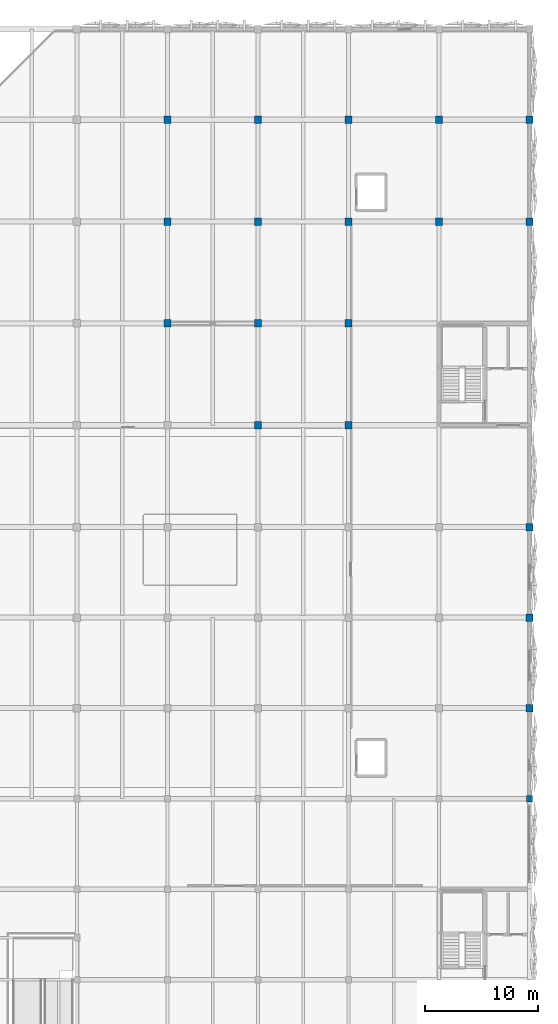
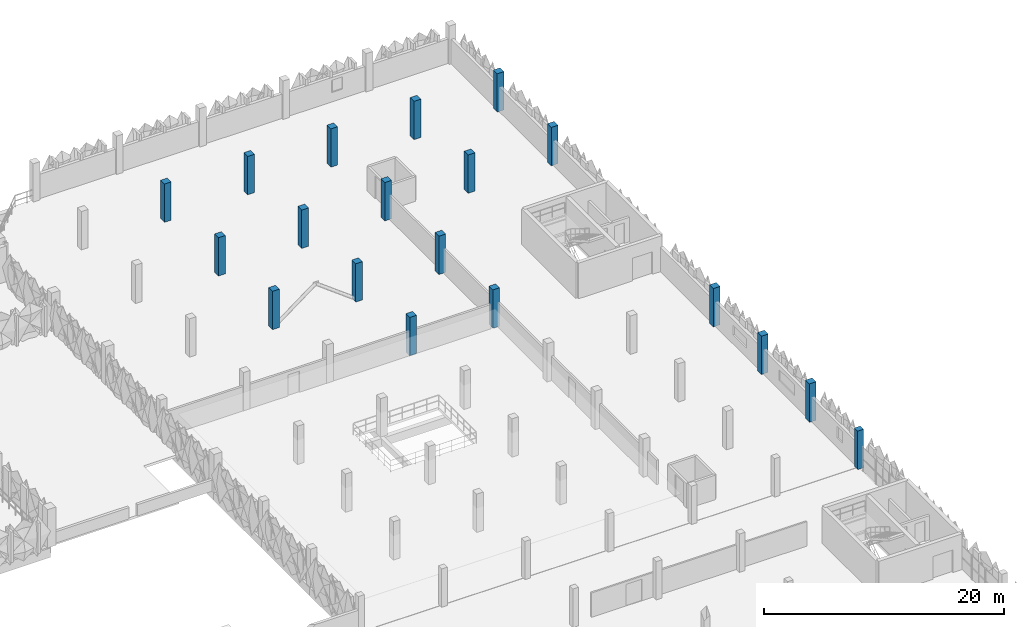
# One storey, part 6 of 96: 19 columns.
"""IFC4 building model written with IfcOpenShell, lengths in metres."""

from ifc_helpers import new_model, si_unit, derived_unit, direction, frame, origin, origin_2d, place, context, subcontext, project, spatial, rectangle, extrude, material, material_profile, profile_set, type_object, element, save


model = new_model("IFC4")

# Units and contexts
model_context = context("Model", 3, precision=1e-05, world=origin(), true_north=direction((0.0, 1.0)))
body_context = subcontext(model_context, "Body", "Model", "MODEL_VIEW")
ifc_project = project(units=[si_unit("LENGTHUNIT", "METRE"), si_unit("AREAUNIT", "SQUARE_METRE"), si_unit("VOLUMEUNIT", "CUBIC_METRE"), si_unit("PLANEANGLEUNIT", "RADIAN"), si_unit("MASSUNIT", "GRAM", prefix="KILO"), si_unit("THERMODYNAMICTEMPERATUREUNIT", "KELVIN"), derived_unit("THERMALTRANSMITTANCEUNIT", [(si_unit("POWERUNIT", "WATT"), 1), (si_unit("AREAUNIT", "SQUARE_METRE"), -1), (si_unit("THERMODYNAMICTEMPERATUREUNIT", "KELVIN"), -1)])], contexts=[model_context])

# Site, building, storey
site_placement = place(None, origin())
site = spatial("IfcSite", under=ifc_project, at=site_placement, CompositionType="ELEMENT")
building_placement = place(site_placement, origin())
building = spatial("IfcBuilding", under=site, at=building_placement, Name="Haiyu Intermodal Mobility Hub", CompositionType="ELEMENT")
storey_placement = place(building_placement, frame((0.0, 0.0, 9.5)))
storey = spatial("IfcBuildingStorey", under=building, at=storey_placement, Name="L02", CompositionType="ELEMENT", Elevation=9.5)

# Columns
ifc_material = material(Name="Concrete C40", Category="concrete")
ifc_material_profile_1 = material_profile(ifc_material, rectangle(XDim=0.64990234375, YDim=0.64990234375, at=origin_2d()), Name="RC650x650")
ifc_profile_set_1 = profile_set([ifc_material_profile_1], Name="Concrete C40")
column_type_1 = type_object("IfcColumnType", Name="COL-CC09", PredefinedType="COLUMN", material=ifc_profile_set_1)
for number, where, z_axis, x_axis, name in (
    (1, (178.0, 122.0, 0.0), (0.0, 0.0, 1.0), (1.0, 0.0, 0.0), "Column V6-20P L02"),
    (2, (178.0, 131.0, 0.0), (0.0, 0.0, 1.0), (1.0, 0.0, 0.0), "Column V6-20Q L02"),
    (3, (178.0, 140.0, 0.0), (0.0, 0.0, 1.0), (1.0, 0.0, 0.0), "Column V6-20R L02"),
    (4, (186.0, 113.0, 0.0), (0.0, 0.0, 1.0), (1.0, 0.0, 0.0), "Column V6-21N L02"),
    (5, (186.0, 122.0, 0.0), (0.0, 0.0, 1.0), (1.0, 0.0, 0.0), "Column V6-21P L02"),
    (6, (186.0, 131.0, 0.0), (0.0, 0.0, 1.0), (1.0, 0.0, 0.0), "Column V6-21Q L02"),
    (7, (186.0, 140.0, 0.0), (0.0, 0.0, 1.0), (1.0, 0.0, 0.0), "Column V6-21R L02"),
    (8, (194.0, 113.0, 0.0), (0.0, 0.0, 1.0), (1.0, 0.0, 0.0), "Column V6-22N L02"),
    (9, (194.0, 122.0, 0.0), (0.0, 0.0, 1.0), (1.0, 0.0, 0.0), "Column V6-22P L02"),
    (10, (194.0, 131.0, 0.0), (0.0, 0.0, 1.0), (1.0, 0.0, 0.0), "Column V6-22Q L02"),
    (11, (194.0, 140.0, 0.0), (0.0, 0.0, 1.0), (1.0, 0.0, 0.0), "Column V6-22R L02"),
    (12, (202.0, 131.0, 0.0), (0.0, 0.0, 1.0), (1.0, 0.0, 0.0), "Column V6-23Q L02"),
    (13, (202.0, 140.0, 0.0), (0.0, 0.0, 1.0), (1.0, 0.0, 0.0), "Column V6-23R L02"),
):
    element("IfcColumn", number, at=place(storey_placement, frame(where, z_axis=z_axis, x_axis=x_axis)), inside=storey, type_object=column_type_1, Name=name, PredefinedType="COLUMN", context=body_context, shape_type="SweptSolid", body=[
        extrude(rectangle(XDim=0.64990234375, YDim=0.64990234375, at=origin_2d()), origin(), (0.0, 0.0, 1.0), 3.89990234375),
    ])
ifc_material_profile_2 = material_profile(ifc_material, rectangle(XDim=0.64990234375, YDim=0.64990234375, at=origin_2d()), Name="RC650x650")
ifc_profile_set_2 = profile_set([ifc_material_profile_2], Name="Concrete C40")
column_type_2 = type_object("IfcColumnType", Name="COL-CC09-EXT", PredefinedType="COLUMN", material=ifc_profile_set_2)
for number, where, z_axis, x_axis, name in (
    (14, (210.0, 88.0, 0.0), (0.0, 0.0, 1.0), (1.0, 0.0, 0.0), "Column V6-24K L02"),
    (15, (210.0, 96.0, 0.0), (0.0, 0.0, 1.0), (1.0, 0.0, 0.0), "Column V6-24L L02"),
    (16, (210.0, 104.0, 0.0), (0.0, 0.0, 1.0), (1.0, 0.0, 0.0), "Column V6-24M L02"),
    (17, (210.0, 131.0, 0.0), (0.0, 0.0, 1.0), (1.0, 0.0, 0.0), "Column V6-24Q L02"),
    (18, (210.0, 140.0, 0.0), (0.0, 0.0, 1.0), (1.0, 0.0, 0.0), "Column V6-24R L02"),
):
    element("IfcColumn", number, at=place(storey_placement, frame(where, z_axis=z_axis, x_axis=x_axis)), inside=storey, type_object=column_type_2, Name=name, PredefinedType="COLUMN", context=body_context, shape_type="SweptSolid", body=[
        extrude(rectangle(XDim=0.64990234375, YDim=0.64990234375, at=origin_2d()), origin(), (0.0, 0.0, 1.0), 3.89990234375),
    ])
ifc_material_profile_3 = material_profile(ifc_material, rectangle(XDim=0.550048828125, YDim=0.550048828125, at=origin_2d()), Name="RC550x550")
ifc_profile_set_3 = profile_set([ifc_material_profile_3], Name="Concrete C40")
column_type_3 = type_object("IfcColumnType", Name="COL-CC11-EXT", PredefinedType="COLUMN", material=ifc_profile_set_3)
column_placement = place(storey_placement, frame((210.0, 80.0, 0.0), z_axis=(0.0, 0.0, 1.0), x_axis=(1.0, 0.0, 0.0)))
element("IfcColumn", 19, at=column_placement, inside=storey, type_object=column_type_3, Name="Column V5-24J L02", PredefinedType="COLUMN", context=body_context, shape_type="SweptSolid", body=[
    extrude(rectangle(XDim=0.550048828125, YDim=0.550048828125, at=origin_2d()), origin(), (0.0, 0.0, 1.0), 3.89990234375),
])

save(model, "model.ifc")
